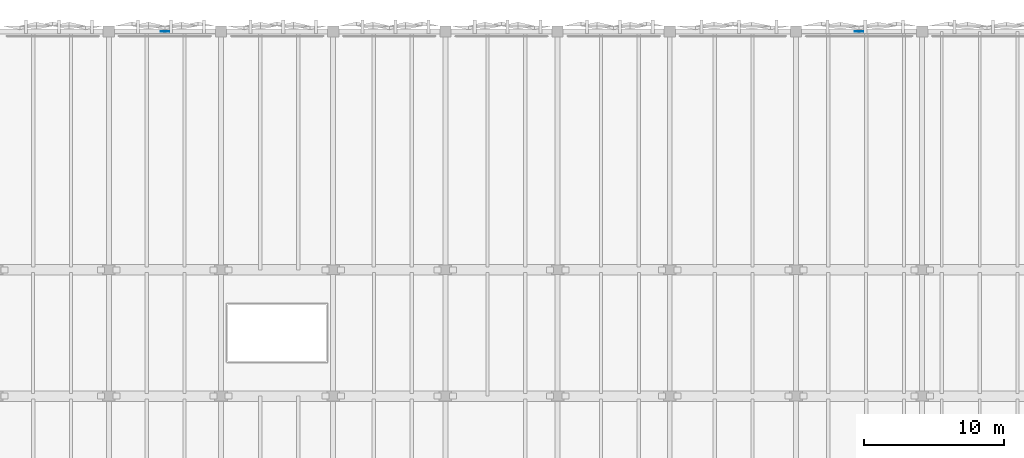
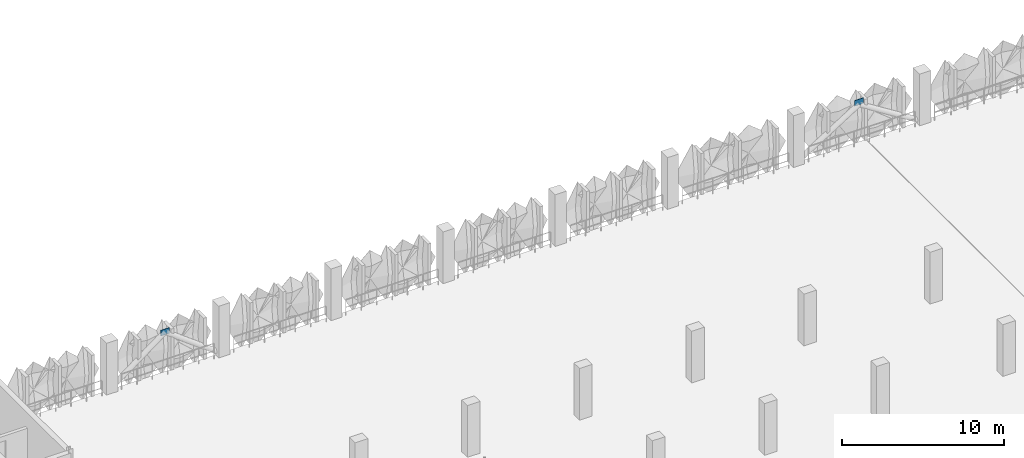
# One storey, part 71 of 123: 2 plates.
"""IFC4 building model written with IfcOpenShell, lengths in metres."""

import ifcopenshell
import ifcopenshell.guid

model = None  # the IFC model being written
_history = None  # IfcOwnerHistory: only IFC2X3 demands one
_inside = {}  # id of a spatial element -> (the spatial element, [elements in it])
_under = {}  # id of a project, library or spatial element -> (it, [spatial elements below it])
_declared = {}  # id of a project -> (the project, [libraries it declares])
_typed = {}  # id of a type object -> (the type object, [elements of that type])
_made_of = {}  # id of a material, layer set ... -> (it, [elements and type objects made of it])


def new_model(schema):
    """Start an empty IFC model of exactly this schema.

    Asked for "IFC4X3", IfcOpenShell would pick the latest addendum, in which some entities
    have other attributes; the version numbers below select the first issue.
    IFC2X3 requires an IfcOwnerHistory on every rooted entity: one is made here for all.
    """
    global model, _history
    if schema == "IFC4X3":
        model = ifcopenshell.file(schema_version=(4, 3, 0, 0))
    else:
        model = ifcopenshell.file(schema=schema)
    _inside.clear()
    _under.clear()
    _declared.clear()
    _typed.clear()
    _made_of.clear()
    _history = None
    if model.schema == "IFC2X3":
        org = make("IfcOrganization", Name="unknown")
        user = make(
            "IfcPersonAndOrganization",
            ThePerson=make("IfcPerson", FamilyName="unknown"),
            TheOrganization=org,
        )
        app = make(
            "IfcApplication",
            ApplicationDeveloper=org,
            Version="unknown",
            ApplicationFullName="unknown",
            ApplicationIdentifier="unknown",
        )
        _history = make(
            "IfcOwnerHistory",
            OwningUser=user,
            OwningApplication=app,
            ChangeAction="ADDED",
            CreationDate=0,
        )
    return model


def make(cls, **values):
    """One entity of the class cls with the attributes given. An attribute that is None is left unset."""
    return model.create_entity(
        cls, **{name: value for name, value in values.items() if value is not None}
    )


def rooted(cls, **values):
    """An entity with a GlobalId (a new one), such as an element, a storey or a relation."""
    return make(cls, GlobalId=ifcopenshell.guid.new(), OwnerHistory=_history, **values)


def si_unit(unit_type, name, prefix=None):
    """IfcSIUnit, for example si_unit("LENGTHUNIT", "METRE", prefix="MILLI")."""
    return make("IfcSIUnit", UnitType=unit_type, Prefix=prefix, Name=name)


def derived_unit(unit_type, elements):
    """IfcDerivedUnit: a product of units, each with its exponent."""
    return make(
        "IfcDerivedUnit",
        Elements=[
            make("IfcDerivedUnitElement", Unit=unit, Exponent=power)
            for unit, power in elements
        ],
        UnitType=unit_type,
    )


def assignment(units):
    """IfcUnitAssignment: the units of a project."""
    return None if units is None else make("IfcUnitAssignment", Units=units)


def point(xyz):
    """IfcCartesianPoint."""
    return None if xyz is None else make("IfcCartesianPoint", Coordinates=xyz)


def direction(xyz):
    """IfcDirection."""
    return None if xyz is None else make("IfcDirection", DirectionRatios=xyz)


def frame(location, z_axis=None, x_axis=None):
    """IfcAxis2Placement3D, a coordinate frame: its origin and axes. An axis left out is left unset."""
    return make(
        "IfcAxis2Placement3D",
        Location=point(location),
        Axis=direction(z_axis),
        RefDirection=direction(x_axis),
    )


def frame_2d(location, x_axis=None):
    """IfcAxis2Placement2D, a coordinate frame in the plane: its origin and x axis."""
    return make(
        "IfcAxis2Placement2D", Location=point(location), RefDirection=direction(x_axis)
    )


def origin():
    """The frame at (0, 0, 0) with its axes left unset."""
    return frame((0.0, 0.0, 0.0))


def origin_2d():
    """The frame at (0, 0) in the plane with its x axis left unset."""
    return frame_2d((0.0, 0.0))


def place(relative_to, where):
    """IfcLocalPlacement: puts the frame where relative to a parent placement (None: the world)."""
    return make(
        "IfcLocalPlacement", PlacementRelTo=relative_to, RelativePlacement=where
    )


def context(
    kind, dimensions, precision=None, world=None, true_north=None, identifier=None
):
    """IfcGeometricRepresentationContext, for example the 3D "Model" context."""
    return make(
        "IfcGeometricRepresentationContext",
        ContextIdentifier=identifier,
        ContextType=kind,
        CoordinateSpaceDimension=dimensions,
        Precision=precision,
        WorldCoordinateSystem=world,
        TrueNorth=true_north,
    )


def subcontext(parent, identifier, kind, view, scale=None):
    """IfcGeometricRepresentationSubContext, for example "Body" below "Model"."""
    return make(
        "IfcGeometricRepresentationSubContext",
        ContextIdentifier=identifier,
        ContextType=kind,
        ParentContext=parent,
        TargetScale=scale,
        TargetView=view,
    )


def project(units=None, contexts=None):
    """IfcProject with its units and contexts."""
    return rooted(
        "IfcProject",
        Name="project",
        RepresentationContexts=contexts,
        UnitsInContext=assignment(units),
    )


def spatial(cls, under=None, at=None, **own):
    """A site, building, storey or space (cls), placed at a placement, below another one or the project."""
    s = rooted(cls, ObjectPlacement=at, **own)
    if under is not None:
        _under.setdefault(under.id(), (under, []))[1].append(s)
    return s


def profile(cls, at=None, kind="AREA", **sizes):
    """A parametric profile (cls). Its sizes go by their IFC names, for example OverallWidth=200.0."""
    return make(cls, ProfileType=kind, Position=at, **sizes)


def rectangle(**sizes):
    """IfcRectangleProfileDef."""
    return profile("IfcRectangleProfileDef", **sizes)


def extrude(swept, where, along, depth):
    """IfcExtrudedAreaSolid: the profile swept, set in the frame where, extruded along a direction by depth."""
    return make(
        "IfcExtrudedAreaSolid",
        SweptArea=swept,
        Position=where,
        ExtrudedDirection=direction(along),
        Depth=depth,
    )


def shape(context_of_items, identifier, shape_type, items):
    """IfcShapeRepresentation: the items that make up one representation, for example the "Body"."""
    return make(
        "IfcShapeRepresentation",
        ContextOfItems=context_of_items,
        RepresentationIdentifier=identifier,
        RepresentationType=shape_type,
        Items=items,
    )


def material(Name=None, Category=None):
    """IfcMaterial."""
    return make("IfcMaterial", Name=Name, Category=Category)


def layer(
    of_material, thickness, ventilated=None, Name=None, Category=None, Priority=None
):
    """IfcMaterialLayer: one layer of a wall or slab, of a material (None: an air gap)."""
    return make(
        "IfcMaterialLayer",
        Material=of_material,
        LayerThickness=thickness,
        IsVentilated=ventilated,
        Name=Name,
        Category=Category,
        Priority=Priority,
    )


def layer_set(layers, Name=None):
    """IfcMaterialLayerSet."""
    return make("IfcMaterialLayerSet", MaterialLayers=layers, LayerSetName=Name)


def made_of(thing, what):
    """Note that an element or type object is made of a material, layer set ...; save() writes the relation."""
    if what is not None:
        _made_of.setdefault(what.id(), (what, []))[1].append(thing)
    return thing


def type_object(cls, material=None, **own):
    """A type object (cls), such as IfcWallType, which elements share."""
    return made_of(rooted(cls, **own), material)


def element(
    cls,
    number,
    at=None,
    inside=None,
    cuts=None,
    type_object=None,
    material=None,
    context=None,
    identifier="Body",
    shape_type=None,
    held_by="IfcProductDefinitionShape",
    body=None,
    shapes=None,
    **own,
):
    """One element of the class cls, such as IfcWall. Its Tag is "e" and its number.

    at: its placement. inside: the storey or other place that contains it. cuts: it is an
    opening in that element (IfcRelVoidsElement). A single representation is given by context,
    identifier, shape_type and body (its items); several are given by shapes. held_by: the class
    of the entity that holds the representations. save() writes the other relations.
    """
    e = rooted(cls, Tag="e%d" % number, ObjectPlacement=at, **own)
    if body is not None:
        shapes = [shape(context, identifier, shape_type, body)]
    if shapes is not None:
        e.Representation = make(held_by, Representations=shapes)
    if inside is not None:
        _inside.setdefault(inside.id(), (inside, []))[1].append(e)
    if cuts is not None:
        rooted(
            "IfcRelVoidsElement", RelatingBuildingElement=cuts, RelatedOpeningElement=e
        )
    if type_object is not None:
        _typed.setdefault(type_object.id(), (type_object, []))[1].append(e)
    return made_of(e, material)


def aggregate(whole, parts):
    """IfcRelAggregates: a whole, such as a stair, and the parts it consists of."""
    return rooted("IfcRelAggregates", RelatingObject=whole, RelatedObjects=parts)


def save(model, path):
    """Write the relations noted so far, then the file.

    IfcRelAggregates (storeys below a building ...), IfcRelContainedInSpatialStructure (elements
    in a storey), IfcRelDefinesByType, IfcRelAssociatesMaterial and IfcRelDeclares: one each for
    every whole, place, type object, material and project.
    """
    for whole, parts in _under.values():
        aggregate(whole, parts)
    for where, things in _inside.values():
        rooted(
            "IfcRelContainedInSpatialStructure",
            RelatedElements=things,
            RelatingStructure=where,
        )
    for kind, things in _typed.values():
        rooted("IfcRelDefinesByType", RelatedObjects=things, RelatingType=kind)
    for what, things in _made_of.values():
        rooted("IfcRelAssociatesMaterial", RelatedObjects=things, RelatingMaterial=what)
    for by, libraries in _declared.values():
        rooted("IfcRelDeclares", RelatingContext=by, RelatedDefinitions=libraries)
    model.write(path)


model = new_model("IFC4")

# Units and contexts
model_context = context("Model", 3, precision=1e-05, world=origin(), true_north=direction((0.0, 1.0)))
body_context = subcontext(model_context, "Body", "Model", "MODEL_VIEW")
ifc_project = project(units=[si_unit("LENGTHUNIT", "METRE"), si_unit("AREAUNIT", "SQUARE_METRE"), si_unit("VOLUMEUNIT", "CUBIC_METRE"), si_unit("PLANEANGLEUNIT", "RADIAN"), si_unit("MASSUNIT", "GRAM", prefix="KILO"), si_unit("THERMODYNAMICTEMPERATUREUNIT", "KELVIN"), derived_unit("THERMALTRANSMITTANCEUNIT", [(si_unit("POWERUNIT", "WATT"), 1), (si_unit("AREAUNIT", "SQUARE_METRE"), -1), (si_unit("THERMODYNAMICTEMPERATUREUNIT", "KELVIN"), -1)])], contexts=[model_context])

# Site, building, storey
site_placement = place(None, origin())
site = spatial("IfcSite", under=ifc_project, at=site_placement, CompositionType="ELEMENT")
building_placement = place(site_placement, origin())
building = spatial("IfcBuilding", under=site, at=building_placement, Name="Haiyu Intermodal Mobility Hub", CompositionType="ELEMENT")
storey_placement = place(building_placement, frame((0.0, 0.0, 5.60009765625)))
storey = spatial("IfcBuildingStorey", under=building, at=storey_placement, Name="L01", CompositionType="ELEMENT", Elevation=5.60009765625)

# Plates
ifc_material = material(Name="Steel Q355C", Category="steel")
ifc_layer = layer(ifc_material, 0.033935546875)
ifc_layer_set = layer_set([ifc_layer], Name="Steel Q355C")
plate_type = type_object("IfcPlateType", Name="PLT-GP04", PredefinedType="USERDEFINED", material=ifc_layer_set)
for number, where, z_axis, x_axis, name in (
    (1, (42.0, 148.0, 2.7900390625), (0.0, 0.0, 1.0), (1.0, 0.0, 0.0), "Chevron Brace Apex Gusset GP-B081"),
    (2, (91.5, 148.0, 2.7900390625), (0.0, 0.0, 1.0), (1.0, 0.0, 0.0), "Chevron Brace Apex Gusset GP-B086"),
):
    element("IfcPlate", number, at=place(storey_placement, frame(where, z_axis=z_axis, x_axis=x_axis)), inside=storey, type_object=plate_type, Name=name, ObjectType="GUSSET PLATE", PredefinedType="USERDEFINED", context=body_context, shape_type="SweptSolid", body=[
        extrude(rectangle(XDim=0.6201171875, YDim=0.033935546875, at=origin_2d()), origin(), (0.0, 0.0, 1.0), 0.419921875),
    ])

save(model, "model.ifc")
